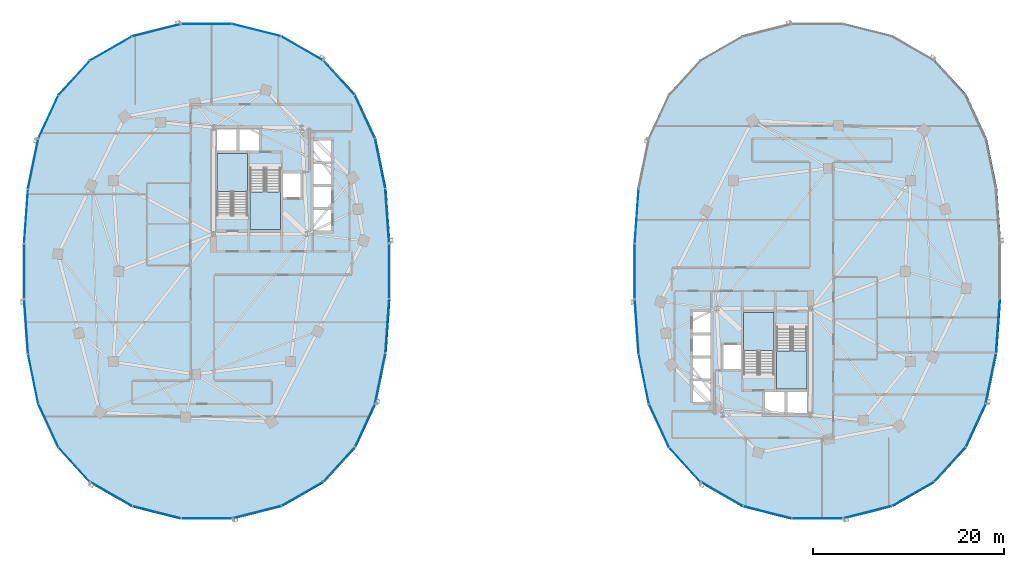
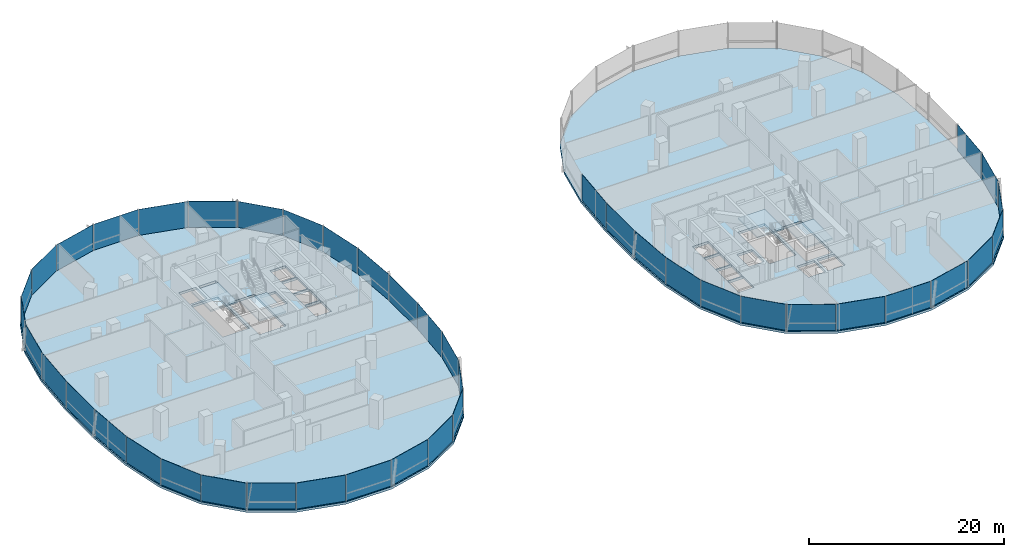
# One storey, part 9 of 21: 43 plates, 6 slabs, 11 elements without a shape of their own.
"""IFC4 building model written with IfcOpenShell, lengths in metres."""

from ifc_helpers import new_model, si_unit, direction, frame, origin, origin_2d, place, context, subcontext, project, spatial, polyline, rectangle, outline, extrude, material, layer, layer_set, type_object, element, aggregate, save


model = new_model("IFC4")

# Units and contexts
model_context = context("Model", 3, precision=1e-05, world=origin(), true_north=direction((0.0, 1.0)))
body_context = subcontext(model_context, "Body", "Model", "MODEL_VIEW")
ifc_project = project(units=[si_unit("LENGTHUNIT", "METRE"), si_unit("AREAUNIT", "SQUARE_METRE"), si_unit("VOLUMEUNIT", "CUBIC_METRE"), si_unit("PLANEANGLEUNIT", "RADIAN"), si_unit("MASSUNIT", "GRAM", prefix="KILO"), si_unit("THERMODYNAMICTEMPERATUREUNIT", "KELVIN"), si_unit("POWERUNIT", "WATT")], contexts=[model_context])

# Site, building, storey
site_placement = place(None, origin())
site = spatial("IfcSite", under=ifc_project, at=site_placement, CompositionType="ELEMENT")
building_placement = place(site_placement, origin())
building = spatial("IfcBuilding", under=site, at=building_placement, Name="Cundina Bronze Exchange", CompositionType="ELEMENT")
storey_placement = place(building_placement, frame((0.0, 0.0, 117.800048828125)))
storey = spatial("IfcBuildingStorey", under=building, at=storey_placement, Name="L30", CompositionType="ELEMENT", Elevation=117.800048828125)

# Curtain wall, plates
ifc_material_1 = material(Name="Anodised Bronze Aluminium 6063-T6", Category="aluminium")
curtain_wall_type = type_object("IfcCurtainWallType", Name="CWS-TRD-MID", PredefinedType="NOTDEFINED", material=ifc_material_1)
curtain_wall_1_placement = place(storey_placement, origin())
curtain_wall_1 = element("IfcCurtainWall", 1, at=curtain_wall_1_placement, inside=storey, type_object=curtain_wall_type, Name="L30 CW-03 Curtain Wall Run CWR-L30-W1", PredefinedType="NOTDEFINED")
ifc_material_2 = material(Name="Heat-Strengthened Solar-Control Bronze Safety Glass 28mm", Category="glass")
ifc_layer_1 = layer(ifc_material_2, 0.028076171875, Name="Heat-Strengthened Solar-Control Bronze Safety Glass 28mm", Category="glass")
ifc_layer_set_1 = layer_set([ifc_layer_1], Name="Heat-Strengthened Solar-Control Bronze Safety Glass 28mm")
plate_type_1 = type_object("IfcPlateType", Name="PLT-GLZ-VIS28", PredefinedType="CURTAIN_PANEL", material=ifc_layer_set_1)
plate_1_placement = place(storey_placement, frame((-13.0732421875, 5.783935546875, 0.02001953125), z_axis=(0.0, 0.0, 1.0), x_axis=(-0.070278787473, 0.997527389113, 0.0)))
plate_1 = element("IfcPlate", 2, at=plate_1_placement, type_object=plate_type_1, Name="CW-03 Glazed Panel 1", PredefinedType="CURTAIN_PANEL", context=body_context, shape_type="SweptSolid", body=[
    extrude(rectangle(XDim=5.644287109375, YDim=0.028076171875, at=origin_2d()), origin(), (0.0, 0.0, 1.0), 3.260009765625),
])
plate_2_placement = place(storey_placement, frame((-13.81591796875, 11.269775390625, 0.02001953125), z_axis=(0.0, 0.0, 1.0), x_axis=(-0.201419845156, 0.979505000486, 0.0)))
plate_2 = element("IfcPlate", 3, at=plate_2_placement, type_object=plate_type_1, Name="CW-03 Glazed Panel 2", PredefinedType="CURTAIN_PANEL", context=body_context, shape_type="SweptSolid", body=[
    extrude(rectangle(XDim=5.306640625, YDim=0.028076171875, at=origin_2d()), origin(), (0.0, 0.0, 1.0), 3.260009765625),
])
plate_3_placement = place(storey_placement, frame((-15.413818359375, 16.177734375, 0.02001953125), z_axis=(0.0, 0.0, 1.0), x_axis=(-0.42084583328, 0.907132175932, 0.0)))
plate_3 = element("IfcPlate", 4, at=plate_3_placement, type_object=plate_type_1, Name="CW-03 Glazed Panel 3", PredefinedType="CURTAIN_PANEL", context=body_context, shape_type="SweptSolid", body=[
    extrude(rectangle(XDim=4.966552734375, YDim=0.028076171875, at=origin_2d()), origin(), (0.0, 0.0, 1.0), 3.260009765625),
])
plate_4_placement = place(storey_placement, frame((-18.1259765625, 20.267333984375, 0.02001953125), z_axis=(0.0, 0.0, 1.0), x_axis=(-0.674276610219, 0.73847887777, 0.0)))
plate_4 = element("IfcPlate", 5, at=plate_4_placement, type_object=plate_type_1, Name="CW-03 Glazed Panel 4", PredefinedType="CURTAIN_PANEL", context=body_context, shape_type="SweptSolid", body=[
    extrude(rectangle(XDim=4.86328125, YDim=0.028076171875, at=origin_2d()), origin(), (0.0, 0.0, 1.0), 3.260009765625),
])
plate_5_placement = place(storey_placement, frame((-26.744384765625, 25.256591796875, 0.02001953125), z_axis=(0.0, 0.0, 1.0), x_axis=(-0.969488149345, 0.245138182011, 0.0)))
plate_5 = element("IfcPlate", 6, at=plate_5_placement, type_object=plate_type_1, Name="CW-03 Glazed Panel 6", PredefinedType="CURTAIN_PANEL", context=body_context, shape_type="SweptSolid", body=[
    extrude(rectangle(XDim=5.2333984375, YDim=0.028076171875, at=origin_2d()), origin(), (0.0, 0.0, 1.0), 3.260009765625),
])
plate_6_placement = place(storey_placement, frame((-32.0, 25.905029296875, 0.02001953125), z_axis=(0.0, 0.0, 1.0), x_axis=(-1.0, 0.0, 0.0)))
plate_6 = element("IfcPlate", 7, at=plate_6_placement, type_object=plate_type_1, Name="CW-03 Glazed Panel 7", PredefinedType="CURTAIN_PANEL", context=body_context, shape_type="SweptSolid", body=[
    extrude(rectangle(XDim=5.323974609375, YDim=0.028076171875, at=origin_2d()), origin(), (0.0, 0.0, 1.0), 3.260009765625),
])

curtain_wall_2_placement = place(storey_placement, origin())
curtain_wall_2 = element("IfcCurtainWall", 8, at=curtain_wall_2_placement, inside=storey, type_object=curtain_wall_type, Name="L30 CW-03 Curtain Wall Run CWR-L30-W2", PredefinedType="NOTDEFINED")
plate_7_placement = place(storey_placement, frame((-37.255615234375, 25.256591796875, 0.02001953125), z_axis=(0.0, 0.0, 1.0), x_axis=(-0.969488149345, -0.245138182011, 0.0)))
plate_7 = element("IfcPlate", 9, at=plate_7_placement, type_object=plate_type_1, Name="CW-03 Glazed Panel 1", PredefinedType="CURTAIN_PANEL", context=body_context, shape_type="SweptSolid", body=[
    extrude(rectangle(XDim=5.2333984375, YDim=0.028076171875, at=origin_2d()), origin(), (0.0, 0.0, 1.0), 3.260009765625),
])
plate_8_placement = place(storey_placement, frame((-42.019287109375, 23.34423828125, 0.02001953125), z_axis=(0.0, 0.0, 1.0), x_axis=(-0.867105478933, -0.498124571171, 0.0)))
plate_8 = element("IfcPlate", 10, at=plate_8_placement, type_object=plate_type_1, Name="CW-03 Glazed Panel 2", PredefinedType="CURTAIN_PANEL", context=body_context, shape_type="SweptSolid", body=[
    extrude(rectangle(XDim=5.021240234375, YDim=0.028076171875, at=origin_2d()), origin(), (0.0, 0.0, 1.0), 3.260009765625),
])
plate_9_placement = place(storey_placement, frame((-45.8740234375, 20.267333984375, 0.02001953125), z_axis=(0.0, 0.0, 1.0), x_axis=(-0.674276610219, -0.73847887777, 0.0)))
plate_9 = element("IfcPlate", 11, at=plate_9_placement, type_object=plate_type_1, Name="CW-03 Glazed Panel 3", PredefinedType="CURTAIN_PANEL", context=body_context, shape_type="SweptSolid", body=[
    extrude(rectangle(XDim=4.86328125, YDim=0.028076171875, at=origin_2d()), origin(), (0.0, 0.0, 1.0), 3.260009765625),
])
plate_10_placement = place(storey_placement, frame((-50.18408203125, 11.269775390625, 0.02001953125), z_axis=(0.0, 0.0, 1.0), x_axis=(-0.201419845156, -0.979505000486, 0.0)))
plate_10 = element("IfcPlate", 12, at=plate_10_placement, type_object=plate_type_1, Name="CW-03 Glazed Panel 5", PredefinedType="CURTAIN_PANEL", context=body_context, shape_type="SweptSolid", body=[
    extrude(rectangle(XDim=5.306640625, YDim=0.028076171875, at=origin_2d()), origin(), (0.0, 0.0, 1.0), 3.260009765625),
])
plate_11_placement = place(storey_placement, frame((-50.9267578125, 5.783935546875, 0.02001953125), z_axis=(0.0, 0.0, 1.0), x_axis=(-0.070278787473, -0.997527389113, 0.0)))
plate_11 = element("IfcPlate", 13, at=plate_11_placement, type_object=plate_type_1, Name="CW-03 Glazed Panel 6", PredefinedType="CURTAIN_PANEL", context=body_context, shape_type="SweptSolid", body=[
    extrude(rectangle(XDim=5.644287109375, YDim=0.028076171875, at=origin_2d()), origin(), (0.0, 0.0, 1.0), 3.260009765625),
])
plate_12_placement = place(storey_placement, frame((-51.1279296875, 0.0, 0.02001953125), z_axis=(0.0, 0.0, 1.0), x_axis=(0.0, -1.0, 0.0)))
plate_12 = element("IfcPlate", 14, at=plate_12_placement, type_object=plate_type_1, Name="CW-03 Glazed Panel 7", PredefinedType="CURTAIN_PANEL", context=body_context, shape_type="SweptSolid", body=[
    extrude(rectangle(XDim=5.77587890625, YDim=0.028076171875, at=origin_2d()), origin(), (0.0, 0.0, 1.0), 3.260009765625),
])

curtain_wall_3_placement = place(storey_placement, origin())
curtain_wall_3 = element("IfcCurtainWall", 15, at=curtain_wall_3_placement, inside=storey, type_object=curtain_wall_type, Name="L30 CW-03 Curtain Wall Run CWR-L30-W3", PredefinedType="NOTDEFINED")
plate_13_placement = place(storey_placement, frame((-50.9267578125, -5.783935546875, 0.02001953125), z_axis=(0.0, 0.0, 1.0), x_axis=(0.070278787473, -0.997527389113, 0.0)))
plate_13 = element("IfcPlate", 16, at=plate_13_placement, type_object=plate_type_1, Name="CW-03 Glazed Panel 1", PredefinedType="CURTAIN_PANEL", context=body_context, shape_type="SweptSolid", body=[
    extrude(rectangle(XDim=5.644287109375, YDim=0.028076171875, at=origin_2d()), origin(), (0.0, 0.0, 1.0), 3.260009765625),
])
plate_14_placement = place(storey_placement, frame((-50.18408203125, -11.269775390625, 0.02001953125), z_axis=(0.0, 0.0, 1.0), x_axis=(0.201419845156, -0.979505000486, 0.0)))
plate_14 = element("IfcPlate", 17, at=plate_14_placement, type_object=plate_type_1, Name="CW-03 Glazed Panel 2", PredefinedType="CURTAIN_PANEL", context=body_context, shape_type="SweptSolid", body=[
    extrude(rectangle(XDim=5.306640625, YDim=0.028076171875, at=origin_2d()), origin(), (0.0, 0.0, 1.0), 3.260009765625),
])
plate_15_placement = place(storey_placement, frame((-45.8740234375, -20.267333984375, 0.02001953125), z_axis=(0.0, 0.0, 1.0), x_axis=(0.674276610219, -0.73847887777, 0.0)))
plate_15 = element("IfcPlate", 18, at=plate_15_placement, type_object=plate_type_1, Name="CW-03 Glazed Panel 4", PredefinedType="CURTAIN_PANEL", context=body_context, shape_type="SweptSolid", body=[
    extrude(rectangle(XDim=4.86328125, YDim=0.028076171875, at=origin_2d()), origin(), (0.0, 0.0, 1.0), 3.260009765625),
])
plate_16_placement = place(storey_placement, frame((-42.019287109375, -23.34423828125, 0.02001953125), z_axis=(0.0, 0.0, 1.0), x_axis=(0.867105478933, -0.498124571171, 0.0)))
plate_16 = element("IfcPlate", 19, at=plate_16_placement, type_object=plate_type_1, Name="CW-03 Glazed Panel 5", PredefinedType="CURTAIN_PANEL", context=body_context, shape_type="SweptSolid", body=[
    extrude(rectangle(XDim=5.021240234375, YDim=0.028076171875, at=origin_2d()), origin(), (0.0, 0.0, 1.0), 3.260009765625),
])
plate_17_placement = place(storey_placement, frame((-37.255615234375, -25.256591796875, 0.02001953125), z_axis=(0.0, 0.0, 1.0), x_axis=(0.969488149345, -0.245138182011, 0.0)))
plate_17 = element("IfcPlate", 20, at=plate_17_placement, type_object=plate_type_1, Name="CW-03 Glazed Panel 6", PredefinedType="CURTAIN_PANEL", context=body_context, shape_type="SweptSolid", body=[
    extrude(rectangle(XDim=5.2333984375, YDim=0.028076171875, at=origin_2d()), origin(), (0.0, 0.0, 1.0), 3.260009765625),
])
plate_18_placement = place(storey_placement, frame((-32.0, -25.905029296875, 0.02001953125), z_axis=(0.0, 0.0, 1.0), x_axis=(1.0, 0.0, 0.0)))
plate_18 = element("IfcPlate", 21, at=plate_18_placement, type_object=plate_type_1, Name="CW-03 Glazed Panel 7", PredefinedType="CURTAIN_PANEL", context=body_context, shape_type="SweptSolid", body=[
    extrude(rectangle(XDim=5.323974609375, YDim=0.028076171875, at=origin_2d()), origin(), (0.0, 0.0, 1.0), 3.260009765625),
])

curtain_wall_4_placement = place(storey_placement, origin())
curtain_wall_4 = element("IfcCurtainWall", 22, at=curtain_wall_4_placement, inside=storey, type_object=curtain_wall_type, Name="L30 CW-03 Curtain Wall Run CWR-L30-W4", PredefinedType="NOTDEFINED")
plate_19_placement = place(storey_placement, frame((-26.744384765625, -25.256591796875, 0.02001953125), z_axis=(0.0, 0.0, 1.0), x_axis=(0.969488149345, 0.245138182011, 0.0)))
plate_19 = element("IfcPlate", 23, at=plate_19_placement, type_object=plate_type_1, Name="CW-03 Glazed Panel 1", PredefinedType="CURTAIN_PANEL", context=body_context, shape_type="SweptSolid", body=[
    extrude(rectangle(XDim=5.2333984375, YDim=0.028076171875, at=origin_2d()), origin(), (0.0, 0.0, 1.0), 3.260009765625),
])
plate_20_placement = place(storey_placement, frame((-18.1259765625, -20.267333984375, 0.02001953125), z_axis=(0.0, 0.0, 1.0), x_axis=(0.674276610219, 0.73847887777, 0.0)))
plate_20 = element("IfcPlate", 24, at=plate_20_placement, type_object=plate_type_1, Name="CW-03 Glazed Panel 3", PredefinedType="CURTAIN_PANEL", context=body_context, shape_type="SweptSolid", body=[
    extrude(rectangle(XDim=4.86328125, YDim=0.028076171875, at=origin_2d()), origin(), (0.0, 0.0, 1.0), 3.260009765625),
])
plate_21_placement = place(storey_placement, frame((-15.413818359375, -16.177734375, 0.02001953125), z_axis=(0.0, 0.0, 1.0), x_axis=(0.42084583328, 0.907132175932, 0.0)))
plate_21 = element("IfcPlate", 25, at=plate_21_placement, type_object=plate_type_1, Name="CW-03 Glazed Panel 4", PredefinedType="CURTAIN_PANEL", context=body_context, shape_type="SweptSolid", body=[
    extrude(rectangle(XDim=4.966552734375, YDim=0.028076171875, at=origin_2d()), origin(), (0.0, 0.0, 1.0), 3.260009765625),
])
plate_22_placement = place(storey_placement, frame((-13.81591796875, -11.269775390625, 0.02001953125), z_axis=(0.0, 0.0, 1.0), x_axis=(0.201419845156, 0.979505000486, 0.0)))
plate_22 = element("IfcPlate", 26, at=plate_22_placement, type_object=plate_type_1, Name="CW-03 Glazed Panel 5", PredefinedType="CURTAIN_PANEL", context=body_context, shape_type="SweptSolid", body=[
    extrude(rectangle(XDim=5.306640625, YDim=0.028076171875, at=origin_2d()), origin(), (0.0, 0.0, 1.0), 3.260009765625),
])
plate_23_placement = place(storey_placement, frame((-13.0732421875, -5.783935546875, 0.02001953125), z_axis=(0.0, 0.0, 1.0), x_axis=(0.070278787473, 0.997527389113, 0.0)))
plate_23 = element("IfcPlate", 27, at=plate_23_placement, type_object=plate_type_1, Name="CW-03 Glazed Panel 6", PredefinedType="CURTAIN_PANEL", context=body_context, shape_type="SweptSolid", body=[
    extrude(rectangle(XDim=5.644287109375, YDim=0.028076171875, at=origin_2d()), origin(), (0.0, 0.0, 1.0), 3.260009765625),
])

curtain_wall_5_placement = place(storey_placement, origin())
curtain_wall_5 = element("IfcCurtainWall", 28, at=curtain_wall_5_placement, inside=storey, type_object=curtain_wall_type, Name="L30 CW-03 Curtain Wall Run CWR-L30-E2", PredefinedType="NOTDEFINED")
plate_24_placement = place(storey_placement, frame((13.0732421875, 5.783935546875, 0.02001953125), z_axis=(0.0, 0.0, 1.0), x_axis=(-0.070278787473, -0.997527389113, 0.0)))
plate_24 = element("IfcPlate", 29, at=plate_24_placement, type_object=plate_type_1, Name="CW-03 Glazed Panel 6", PredefinedType="CURTAIN_PANEL", context=body_context, shape_type="SweptSolid", body=[
    extrude(rectangle(XDim=5.644287109375, YDim=0.028076171875, at=origin_2d()), origin(), (0.0, 0.0, 1.0), 3.260009765625),
])
plate_25_placement = place(storey_placement, frame((12.8720703125, 0.0, 0.02001953125), z_axis=(0.0, 0.0, 1.0), x_axis=(0.0, -1.0, 0.0)))
plate_25 = element("IfcPlate", 30, at=plate_25_placement, type_object=plate_type_1, Name="CW-03 Glazed Panel 7", PredefinedType="CURTAIN_PANEL", context=body_context, shape_type="SweptSolid", body=[
    extrude(rectangle(XDim=5.77587890625, YDim=0.028076171875, at=origin_2d()), origin(), (0.0, 0.0, 1.0), 3.260009765625),
])
aggregate(curtain_wall_5, [plate_24, plate_25])

curtain_wall_6_placement = place(storey_placement, origin())
curtain_wall_6 = element("IfcCurtainWall", 31, at=curtain_wall_6_placement, inside=storey, type_object=curtain_wall_type, Name="L30 CW-03 Curtain Wall Run CWR-L30-E3", PredefinedType="NOTDEFINED")
plate_26_placement = place(storey_placement, frame((13.0732421875, -5.783935546875, 0.02001953125), z_axis=(0.0, 0.0, 1.0), x_axis=(0.070278787473, -0.997527389113, 0.0)))
plate_26 = element("IfcPlate", 32, at=plate_26_placement, type_object=plate_type_1, Name="CW-03 Glazed Panel 1", PredefinedType="CURTAIN_PANEL", context=body_context, shape_type="SweptSolid", body=[
    extrude(rectangle(XDim=5.644287109375, YDim=0.028076171875, at=origin_2d()), origin(), (0.0, 0.0, 1.0), 3.260009765625),
])
plate_27_placement = place(storey_placement, frame((13.81591796875, -11.269775390625, 0.02001953125), z_axis=(0.0, 0.0, 1.0), x_axis=(0.201419845156, -0.979505000486, 0.0)))
plate_27 = element("IfcPlate", 33, at=plate_27_placement, type_object=plate_type_1, Name="CW-03 Glazed Panel 2", PredefinedType="CURTAIN_PANEL", context=body_context, shape_type="SweptSolid", body=[
    extrude(rectangle(XDim=5.306640625, YDim=0.028076171875, at=origin_2d()), origin(), (0.0, 0.0, 1.0), 3.260009765625),
])
plate_28_placement = place(storey_placement, frame((18.1259765625, -20.267333984375, 0.02001953125), z_axis=(0.0, 0.0, 1.0), x_axis=(0.674276610219, -0.73847887777, 0.0)))
plate_28 = element("IfcPlate", 34, at=plate_28_placement, type_object=plate_type_1, Name="CW-03 Glazed Panel 4", PredefinedType="CURTAIN_PANEL", context=body_context, shape_type="SweptSolid", body=[
    extrude(rectangle(XDim=4.86328125, YDim=0.028076171875, at=origin_2d()), origin(), (0.0, 0.0, 1.0), 3.260009765625),
])
plate_29_placement = place(storey_placement, frame((21.980712890625, -23.34423828125, 0.02001953125), z_axis=(0.0, 0.0, 1.0), x_axis=(0.867105478933, -0.498124571171, 0.0)))
plate_29 = element("IfcPlate", 35, at=plate_29_placement, type_object=plate_type_1, Name="CW-03 Glazed Panel 5", PredefinedType="CURTAIN_PANEL", context=body_context, shape_type="SweptSolid", body=[
    extrude(rectangle(XDim=5.021240234375, YDim=0.028076171875, at=origin_2d()), origin(), (0.0, 0.0, 1.0), 3.260009765625),
])
plate_30_placement = place(storey_placement, frame((26.744384765625, -25.256591796875, 0.02001953125), z_axis=(0.0, 0.0, 1.0), x_axis=(0.969488149345, -0.245138182011, 0.0)))
plate_30 = element("IfcPlate", 36, at=plate_30_placement, type_object=plate_type_1, Name="CW-03 Glazed Panel 6", PredefinedType="CURTAIN_PANEL", context=body_context, shape_type="SweptSolid", body=[
    extrude(rectangle(XDim=5.2333984375, YDim=0.028076171875, at=origin_2d()), origin(), (0.0, 0.0, 1.0), 3.260009765625),
])
plate_31_placement = place(storey_placement, frame((32.0, -25.905029296875, 0.02001953125), z_axis=(0.0, 0.0, 1.0), x_axis=(1.0, 0.0, 0.0)))
plate_31 = element("IfcPlate", 37, at=plate_31_placement, type_object=plate_type_1, Name="CW-03 Glazed Panel 7", PredefinedType="CURTAIN_PANEL", context=body_context, shape_type="SweptSolid", body=[
    extrude(rectangle(XDim=5.323974609375, YDim=0.028076171875, at=origin_2d()), origin(), (0.0, 0.0, 1.0), 3.260009765625),
])

curtain_wall_7_placement = place(storey_placement, origin())
curtain_wall_7 = element("IfcCurtainWall", 38, at=curtain_wall_7_placement, inside=storey, type_object=curtain_wall_type, Name="L30 CW-03 Curtain Wall Run CWR-L30-E4", PredefinedType="NOTDEFINED")
plate_32_placement = place(storey_placement, frame((37.255615234375, -25.256591796875, 0.02001953125), z_axis=(0.0, 0.0, 1.0), x_axis=(0.969488149345, 0.245138182011, 0.0)))
plate_32 = element("IfcPlate", 39, at=plate_32_placement, type_object=plate_type_1, Name="CW-03 Glazed Panel 1", PredefinedType="CURTAIN_PANEL", context=body_context, shape_type="SweptSolid", body=[
    extrude(rectangle(XDim=5.2333984375, YDim=0.028076171875, at=origin_2d()), origin(), (0.0, 0.0, 1.0), 3.260009765625),
])
plate_33_placement = place(storey_placement, frame((45.8740234375, -20.267333984375, 0.02001953125), z_axis=(0.0, 0.0, 1.0), x_axis=(0.674276610219, 0.73847887777, 0.0)))
plate_33 = element("IfcPlate", 40, at=plate_33_placement, type_object=plate_type_1, Name="CW-03 Glazed Panel 3", PredefinedType="CURTAIN_PANEL", context=body_context, shape_type="SweptSolid", body=[
    extrude(rectangle(XDim=4.86328125, YDim=0.028076171875, at=origin_2d()), origin(), (0.0, 0.0, 1.0), 3.260009765625),
])
plate_34_placement = place(storey_placement, frame((48.586181640625, -16.177734375, 0.02001953125), z_axis=(0.0, 0.0, 1.0), x_axis=(0.42084583328, 0.907132175932, 0.0)))
plate_34 = element("IfcPlate", 41, at=plate_34_placement, type_object=plate_type_1, Name="CW-03 Glazed Panel 4", PredefinedType="CURTAIN_PANEL", context=body_context, shape_type="SweptSolid", body=[
    extrude(rectangle(XDim=4.966552734375, YDim=0.028076171875, at=origin_2d()), origin(), (0.0, 0.0, 1.0), 3.260009765625),
])
plate_35_placement = place(storey_placement, frame((50.18408203125, -11.269775390625, 0.02001953125), z_axis=(0.0, 0.0, 1.0), x_axis=(0.201419845156, 0.979505000486, 0.0)))
plate_35 = element("IfcPlate", 42, at=plate_35_placement, type_object=plate_type_1, Name="CW-03 Glazed Panel 5", PredefinedType="CURTAIN_PANEL", context=body_context, shape_type="SweptSolid", body=[
    extrude(rectangle(XDim=5.306640625, YDim=0.028076171875, at=origin_2d()), origin(), (0.0, 0.0, 1.0), 3.260009765625),
])
plate_36_placement = place(storey_placement, frame((50.9267578125, -5.783935546875, 0.02001953125), z_axis=(0.0, 0.0, 1.0), x_axis=(0.070278787473, 0.997527389113, 0.0)))
plate_36 = element("IfcPlate", 43, at=plate_36_placement, type_object=plate_type_1, Name="CW-03 Glazed Panel 6", PredefinedType="CURTAIN_PANEL", context=body_context, shape_type="SweptSolid", body=[
    extrude(rectangle(XDim=5.644287109375, YDim=0.028076171875, at=origin_2d()), origin(), (0.0, 0.0, 1.0), 3.260009765625),
])

# Plate
ifc_material_3 = material(Name="Dark Bronze Spandrel Glass Panel 32mm", Category="glass")
ifc_layer_2 = layer(ifc_material_3, 0.031982421875, Name="Dark Bronze Spandrel Glass Panel 32mm", Category="glass")
ifc_layer_set_2 = layer_set([ifc_layer_2], Name="Dark Bronze Spandrel Glass Panel 32mm")
plate_type_2 = type_object("IfcPlateType", Name="PLT-SPN-BRZ32", PredefinedType="CURTAIN_PANEL", material=ifc_layer_set_2)
plate_37_placement = place(storey_placement, frame((-21.980712890625, 23.34423828125, 0.02001953125), z_axis=(0.0, 0.0, 1.0), x_axis=(-0.867105478933, 0.498124571171, 0.0)))
plate_37 = element("IfcPlate", 44, at=plate_37_placement, type_object=plate_type_2, Name="CW-03 Glazed Panel 5", PredefinedType="CURTAIN_PANEL", context=body_context, shape_type="SweptSolid", body=[
    extrude(rectangle(XDim=5.021240234375, YDim=0.031982421875, at=origin_2d()), origin(), (0.0, 0.0, 1.0), 3.260009765625),
])

aggregate(curtain_wall_1, [plate_1, plate_2, plate_3, plate_4, plate_37, plate_5, plate_6])

plate_38_placement = place(storey_placement, frame((-48.586181640625, 16.177734375, 0.02001953125), z_axis=(0.0, 0.0, 1.0), x_axis=(-0.42084583328, -0.907132175932, 0.0)))
plate_38 = element("IfcPlate", 45, at=plate_38_placement, type_object=plate_type_2, Name="CW-03 Glazed Panel 4", PredefinedType="CURTAIN_PANEL", context=body_context, shape_type="SweptSolid", body=[
    extrude(rectangle(XDim=4.966552734375, YDim=0.031982421875, at=origin_2d()), origin(), (0.0, 0.0, 1.0), 3.260009765625),
])

aggregate(curtain_wall_2, [plate_7, plate_8, plate_9, plate_38, plate_10, plate_11, plate_12])

plate_39_placement = place(storey_placement, frame((-48.586181640625, -16.177734375, 0.02001953125), z_axis=(0.0, 0.0, 1.0), x_axis=(0.42084583328, -0.907132175932, 0.0)))
plate_39 = element("IfcPlate", 46, at=plate_39_placement, type_object=plate_type_2, Name="CW-03 Glazed Panel 3", PredefinedType="CURTAIN_PANEL", context=body_context, shape_type="SweptSolid", body=[
    extrude(rectangle(XDim=4.966552734375, YDim=0.031982421875, at=origin_2d()), origin(), (0.0, 0.0, 1.0), 3.260009765625),
])

aggregate(curtain_wall_3, [plate_13, plate_14, plate_39, plate_15, plate_16, plate_17, plate_18])

plate_40_placement = place(storey_placement, frame((-21.980712890625, -23.34423828125, 0.02001953125), z_axis=(0.0, 0.0, 1.0), x_axis=(0.867105478933, 0.498124571171, 0.0)))
plate_40 = element("IfcPlate", 47, at=plate_40_placement, type_object=plate_type_2, Name="CW-03 Glazed Panel 2", PredefinedType="CURTAIN_PANEL", context=body_context, shape_type="SweptSolid", body=[
    extrude(rectangle(XDim=5.021240234375, YDim=0.031982421875, at=origin_2d()), origin(), (0.0, 0.0, 1.0), 3.260009765625),
])

plate_41_placement = place(storey_placement, frame((-12.8720703125, 0.0, 0.02001953125), z_axis=(0.0, 0.0, 1.0), x_axis=(0.0, 1.0, 0.0)))
plate_41 = element("IfcPlate", 48, at=plate_41_placement, type_object=plate_type_2, Name="CW-03 Glazed Panel 7", PredefinedType="CURTAIN_PANEL", context=body_context, shape_type="SweptSolid", body=[
    extrude(rectangle(XDim=5.77587890625, YDim=0.031982421875, at=origin_2d()), origin(), (0.0, 0.0, 1.0), 3.260009765625),
])

aggregate(curtain_wall_4, [plate_19, plate_40, plate_20, plate_21, plate_22, plate_23, plate_41])

plate_42_placement = place(storey_placement, frame((15.413818359375, -16.177734375, 0.02001953125), z_axis=(0.0, 0.0, 1.0), x_axis=(0.42084583328, -0.907132175932, 0.0)))
plate_42 = element("IfcPlate", 49, at=plate_42_placement, type_object=plate_type_2, Name="CW-03 Glazed Panel 3", PredefinedType="CURTAIN_PANEL", context=body_context, shape_type="SweptSolid", body=[
    extrude(rectangle(XDim=4.966552734375, YDim=0.031982421875, at=origin_2d()), origin(), (0.0, 0.0, 1.0), 3.260009765625),
])

aggregate(curtain_wall_6, [plate_26, plate_27, plate_42, plate_28, plate_29, plate_30, plate_31])

plate_43_placement = place(storey_placement, frame((42.019287109375, -23.34423828125, 0.02001953125), z_axis=(0.0, 0.0, 1.0), x_axis=(0.867105478933, 0.498124571171, 0.0)))
plate_43 = element("IfcPlate", 50, at=plate_43_placement, type_object=plate_type_2, Name="CW-03 Glazed Panel 2", PredefinedType="CURTAIN_PANEL", context=body_context, shape_type="SweptSolid", body=[
    extrude(rectangle(XDim=5.021240234375, YDim=0.031982421875, at=origin_2d()), origin(), (0.0, 0.0, 1.0), 3.260009765625),
])

aggregate(curtain_wall_7, [plate_32, plate_43, plate_33, plate_34, plate_35, plate_36])

# Stair, slab
ifc_material_4 = material(Name="Concrete C40/50", Category="concrete")
stair_type = type_object("IfcStairType", Name="STR-OFF-360", PredefinedType="HALF_TURN_STAIR", material=ifc_material_4)
stair_1_placement = place(storey_placement, origin())
stair_1 = element("IfcStair", 51, at=stair_1_placement, inside=storey, type_object=stair_type, Name="L30 Smokeproof Exit Stair W1", PredefinedType="HALF_TURN_STAIR")
ifc_layer_3 = layer(ifc_material_4, 0.199951171875, Name="Concrete C40/50", Category="concrete")
ifc_layer_set_3 = layer_set([ifc_layer_3], Name="Concrete C40/50")
slab_type_1 = type_object("IfcSlabType", Name="SLB-LND-200", PredefinedType="LANDING", material=ifc_layer_set_3)
slab_1_placement = place(storey_placement, frame((0.0, 0.0, 1.599853515625)))
slab_1 = element("IfcSlab", 52, at=slab_1_placement, type_object=slab_type_1, Name="ST-W1 landing 1", PredefinedType="LANDING", context=body_context, shape_type="SweptSolid", body=[
    extrude(outline(polyline([(-27.739990234375, 8.3701171875), (-27.739990234375, 12.35009765625), (-30.89990234375, 12.35009765625), (-30.89990234375, 8.3701171875), (-27.739990234375, 8.3701171875)])), origin(), (0.0, 0.0, 1.0), 0.2001953125),
])
aggregate(stair_1, [slab_1])

stair_2_placement = place(storey_placement, origin())
stair_2 = element("IfcStair", 53, at=stair_2_placement, inside=storey, type_object=stair_type, Name="L30 Smokeproof Exit Stair W2", PredefinedType="HALF_TURN_STAIR")
slab_2_placement = place(storey_placement, frame((0.0, 0.0, 1.599853515625)))
slab_2 = element("IfcSlab", 54, at=slab_2_placement, type_object=slab_type_1, Name="ST-W2 landing 1", PredefinedType="LANDING", context=body_context, shape_type="SweptSolid", body=[
    extrude(outline(polyline([(-27.43994140625, 8.330078125), (-27.43994140625, 4.35009765625), (-24.280029296875, 4.35009765625), (-24.280029296875, 8.330078125), (-27.43994140625, 8.330078125)])), origin(), (0.0, 0.0, 1.0), 0.2001953125),
])
aggregate(stair_2, [slab_2])

stair_3_placement = place(storey_placement, origin())
stair_3 = element("IfcStair", 55, at=stair_3_placement, inside=storey, type_object=stair_type, Name="L30 Smokeproof Exit Stair E1", PredefinedType="HALF_TURN_STAIR")
slab_3_placement = place(storey_placement, frame((0.0, 0.0, 1.599853515625)))
slab_3 = element("IfcSlab", 56, at=slab_3_placement, type_object=slab_type_1, Name="ST-E1 landing 1", PredefinedType="LANDING", context=body_context, shape_type="SweptSolid", body=[
    extrude(outline(polyline([(27.739990234375, -8.3701171875), (27.739990234375, -12.35009765625), (30.89990234375, -12.35009765625), (30.89990234375, -8.3701171875), (27.739990234375, -8.3701171875)])), origin(), (0.0, 0.0, 1.0), 0.2001953125),
])
aggregate(stair_3, [slab_3])

stair_4_placement = place(storey_placement, origin())
stair_4 = element("IfcStair", 57, at=stair_4_placement, inside=storey, type_object=stair_type, Name="L30 Smokeproof Exit Stair E2", PredefinedType="HALF_TURN_STAIR")
slab_4_placement = place(storey_placement, frame((0.0, 0.0, 1.599853515625)))
slab_4 = element("IfcSlab", 58, at=slab_4_placement, type_object=slab_type_1, Name="ST-E2 landing 1", PredefinedType="LANDING", context=body_context, shape_type="SweptSolid", body=[
    extrude(outline(polyline([(27.43994140625, -8.330078125), (27.43994140625, -4.35009765625), (24.280029296875, -4.35009765625), (24.280029296875, -8.330078125), (27.43994140625, -8.330078125)])), origin(), (0.0, 0.0, 1.0), 0.2001953125),
])
aggregate(stair_4, [slab_4])

# Slabs
ifc_material_5 = material(Name="Concrete C50/60", Category="concrete")
ifc_layer_4 = layer(ifc_material_5, 0.300048828125, Name="Concrete C50/60", Category="concrete")
ifc_layer_set_4 = layer_set([ifc_layer_4], Name="Concrete C50/60")
slab_type_2 = type_object("IfcSlabType", Name="SLB-TRD-300", PredefinedType="FLOOR", material=ifc_layer_set_4)
slab_5_placement = place(storey_placement, frame((0.0, 0.0, -0.300048828125)))
element("IfcSlab", 59, at=slab_5_placement, inside=storey, type_object=slab_type_2, Name="L30 Leg W Structural Floor Slab", PredefinedType="FLOOR", context=body_context, shape_type="SweptSolid", body=[
    extrude(outline(polyline([(-12.741943359375, 2.93310546875), (-13.14501953125, 8.653076171875), (-14.23193359375, 13.93896484375), (-16.360107421875, 18.52587890625), (-19.699951171875, 22.18408203125), (-24.132080078125, 24.72998046875), (-29.29296875, 26.034912109375), (-34.70703125, 26.034912109375), (-39.867919921875, 24.72998046875), (-44.300048828125, 22.18408203125), (-47.639892578125, 18.52587890625), (-49.76806640625, 13.93896484375), (-50.85498046875, 8.653076171875), (-51.258056640625, 2.93310546875), (-51.258056640625, -2.93310546875), (-50.85498046875, -8.653076171875), (-49.76806640625, -13.93896484375), (-47.639892578125, -18.52587890625), (-44.300048828125, -22.18408203125), (-39.867919921875, -24.72998046875), (-34.70703125, -26.034912109375), (-29.29296875, -26.034912109375), (-24.132080078125, -24.72998046875), (-19.699951171875, -22.18408203125), (-16.360107421875, -18.52587890625), (-14.23193359375, -13.93896484375), (-13.14501953125, -8.653076171875), (-12.741943359375, -2.93310546875), (-12.741943359375, 2.93310546875)]), holes=[polyline([(-27.739990234375, 5.85009765625), (-27.739990234375, 12.35009765625), (-30.89990234375, 12.35009765625), (-30.89990234375, 5.85009765625), (-27.739990234375, 5.85009765625)]), polyline([(-27.43994140625, 10.85009765625), (-27.43994140625, 4.35009765625), (-24.280029296875, 4.35009765625), (-24.280029296875, 10.85009765625), (-27.43994140625, 10.85009765625)]), polyline([(-23.97998046875, 10.25), (-22.179931640625, 10.25), (-22.179931640625, 7.75), (-23.97998046875, 7.75), (-23.97998046875, 10.25)]), polyline([(-30.89990234375, 14.949951171875), (-28.85009765625, 14.949951171875), (-28.85009765625, 12.64990234375), (-30.89990234375, 12.64990234375), (-30.89990234375, 14.949951171875)]), polyline([(-28.550048828125, 14.949951171875), (-26.5, 14.949951171875), (-26.5, 12.64990234375), (-28.550048828125, 12.64990234375), (-28.550048828125, 14.949951171875)]), polyline([(-20.800048828125, 13.699951171875), (-18.949951171875, 13.699951171875), (-18.949951171875, 11.449951171875), (-20.800048828125, 11.449951171875), (-20.800048828125, 13.699951171875)]), polyline([(-20.800048828125, 11.300048828125), (-18.949951171875, 11.300048828125), (-18.949951171875, 9.050048828125), (-20.800048828125, 9.050048828125), (-20.800048828125, 11.300048828125)]), polyline([(-20.800048828125, 8.89990234375), (-18.949951171875, 8.89990234375), (-18.949951171875, 6.64990234375), (-20.800048828125, 6.64990234375), (-20.800048828125, 8.89990234375)]), polyline([(-20.800048828125, 6.5), (-18.949951171875, 6.5), (-18.949951171875, 4.25), (-20.800048828125, 4.25), (-20.800048828125, 6.5)])]), origin(), (0.0, 0.0, 1.0), 0.300048828125),
])
slab_6_placement = place(storey_placement, frame((0.0, 0.0, -0.300048828125)))
element("IfcSlab", 60, at=slab_6_placement, inside=storey, type_object=slab_type_2, Name="L30 Leg E Structural Floor Slab", PredefinedType="FLOOR", context=body_context, shape_type="SweptSolid", body=[
    extrude(outline(polyline([(51.258056640625, 2.93310546875), (50.85498046875, 8.653076171875), (49.76806640625, 13.93896484375), (47.639892578125, 18.52587890625), (44.300048828125, 22.18408203125), (39.867919921875, 24.72998046875), (34.70703125, 26.034912109375), (29.29296875, 26.034912109375), (24.132080078125, 24.72998046875), (19.699951171875, 22.18408203125), (16.360107421875, 18.52587890625), (14.23193359375, 13.93896484375), (13.14501953125, 8.653076171875), (12.741943359375, 2.93310546875), (12.741943359375, -2.93310546875), (13.14501953125, -8.653076171875), (14.23193359375, -13.93896484375), (16.360107421875, -18.52587890625), (19.699951171875, -22.18408203125), (24.132080078125, -24.72998046875), (29.29296875, -26.034912109375), (34.70703125, -26.034912109375), (39.867919921875, -24.72998046875), (44.300048828125, -22.18408203125), (47.639892578125, -18.52587890625), (49.76806640625, -13.93896484375), (50.85498046875, -8.653076171875), (51.258056640625, -2.93310546875), (51.258056640625, 2.93310546875)]), holes=[polyline([(27.739990234375, -5.85009765625), (27.739990234375, -12.35009765625), (30.89990234375, -12.35009765625), (30.89990234375, -5.85009765625), (27.739990234375, -5.85009765625)]), polyline([(27.43994140625, -10.85009765625), (27.43994140625, -4.35009765625), (24.280029296875, -4.35009765625), (24.280029296875, -10.85009765625), (27.43994140625, -10.85009765625)]), polyline([(22.179931640625, -7.75), (23.97998046875, -7.75), (23.97998046875, -10.25), (22.179931640625, -10.25), (22.179931640625, -7.75)]), polyline([(28.85009765625, -12.64990234375), (30.89990234375, -12.64990234375), (30.89990234375, -14.949951171875), (28.85009765625, -14.949951171875), (28.85009765625, -12.64990234375)]), polyline([(26.5, -12.64990234375), (28.550048828125, -12.64990234375), (28.550048828125, -14.949951171875), (26.5, -14.949951171875), (26.5, -12.64990234375)]), polyline([(18.949951171875, -11.449951171875), (20.800048828125, -11.449951171875), (20.800048828125, -13.699951171875), (18.949951171875, -13.699951171875), (18.949951171875, -11.449951171875)]), polyline([(18.949951171875, -9.050048828125), (20.800048828125, -9.050048828125), (20.800048828125, -11.300048828125), (18.949951171875, -11.300048828125), (18.949951171875, -9.050048828125)]), polyline([(18.949951171875, -6.64990234375), (20.800048828125, -6.64990234375), (20.800048828125, -8.89990234375), (18.949951171875, -8.89990234375), (18.949951171875, -6.64990234375)]), polyline([(18.949951171875, -4.25), (20.800048828125, -4.25), (20.800048828125, -6.5), (18.949951171875, -6.5), (18.949951171875, -4.25)])]), origin(), (0.0, 0.0, 1.0), 0.300048828125),
])

save(model, "model.ifc")
